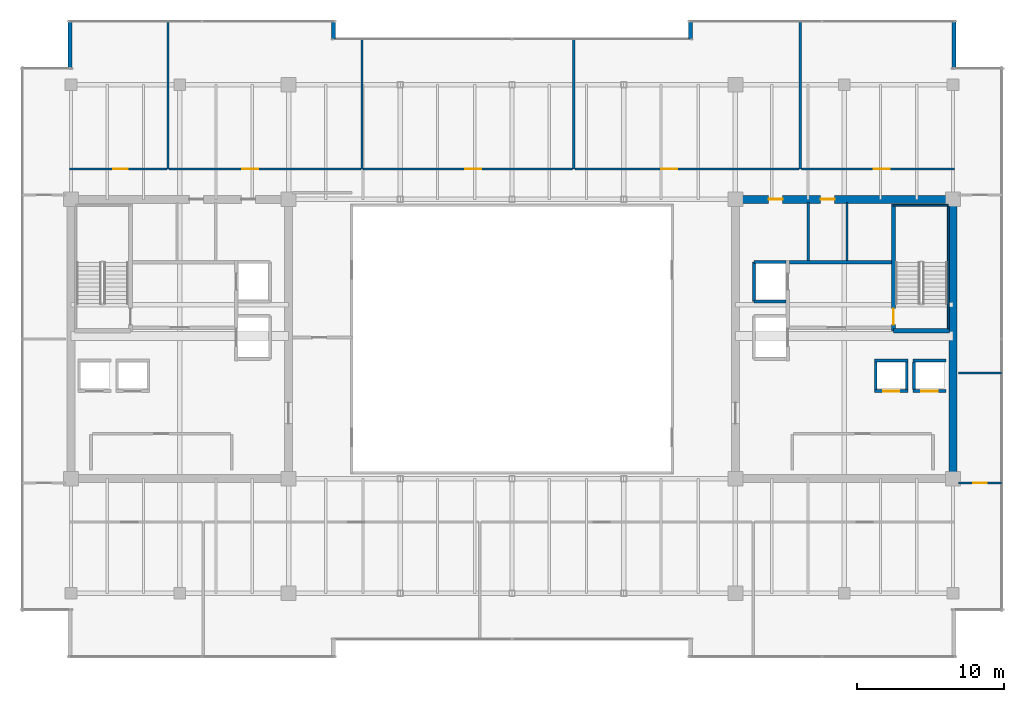
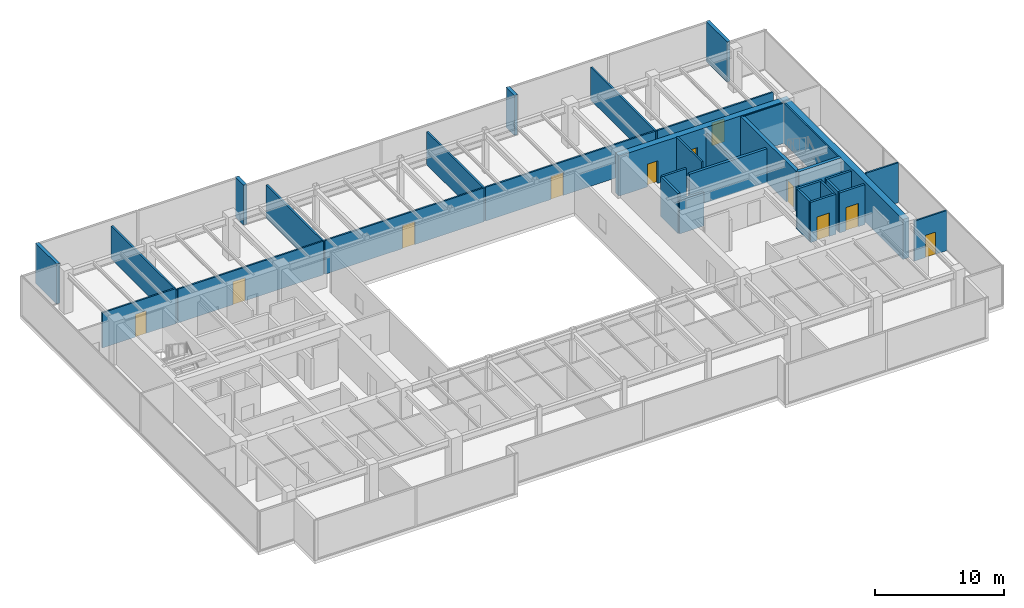
# One storey, part 30 of 33: 34 walls, 11 doors, 11 openings.
"""IFC4 building model written with IfcOpenShell, lengths in metres."""

from ifc_helpers import new_model, si_unit, direction, frame, frame_2d, origin, place, context, subcontext, project, spatial, rectangle, extrude, source, transform, mapped, material, layer, layer_set, type_object, type_shapes, element, fill, save


model = new_model("IFC4")

# Units and contexts
model_context = context("Model", 3, precision=1e-05, world=origin(), true_north=direction((0.0, 1.0)))
body_context = subcontext(model_context, "Body", "Model", "MODEL_VIEW")
ifc_project = project(units=[si_unit("LENGTHUNIT", "METRE"), si_unit("AREAUNIT", "SQUARE_METRE"), si_unit("VOLUMEUNIT", "CUBIC_METRE"), si_unit("PLANEANGLEUNIT", "RADIAN"), si_unit("MASSUNIT", "GRAM", prefix="KILO")], contexts=[model_context])

# Site, building, storey
site_placement = place(None, origin())
site = spatial("IfcSite", under=ifc_project, at=site_placement, CompositionType="ELEMENT")
building_placement = place(site_placement, origin())
building = spatial("IfcBuilding", under=site, at=building_placement, Name="Haelvirn Gate Laboratories", CompositionType="ELEMENT")
storey_placement = place(building_placement, frame((0.0, 0.0, 213.699951171875)))
storey = spatial("IfcBuildingStorey", under=building, at=storey_placement, Name="L51", CompositionType="ELEMENT", Elevation=213.699951171875)

# Walls
ifc_material_1 = material(Name="Thermally-broken bronze aluminium rainscreen & mineral wool", Category="aluminium")
ifc_layer_1 = layer(ifc_material_1, 0.280029296875, Name="EW-TERR-280")
ifc_layer_set_1 = layer_set([ifc_layer_1], Name="Thermally-broken bronze aluminium rainscreen & mineral wool")
wall_type_1 = type_object("IfcWallType", Name="EW-TERR-280", PredefinedType="STANDARD", material=ifc_layer_set_1)
wall_1_placement = place(storey_placement, frame((67.4599609375, 42.7119140625, 0.0), z_axis=(0.0, 0.0, 1.0), x_axis=(0.0, 1.0, 0.0)))
element("IfcWall", 1, at=wall_1_placement, inside=storey, type_object=wall_type_1, Name="L51 Atrium Recess Bronze Return Wall 09", PredefinedType="STANDARD", context=body_context, shape_type="SweptSolid", body=[
    extrude(rectangle(XDim=3.2880859375, YDim=0.280029296875, at=frame_2d((1.64404296875, 0.0))), origin(), (0.0, 0.0, 1.0), 3.800048828125),
])
for number, where, z_axis, x_axis, name in (
    (2, (49.5400390625, 46.0, 0.0), (0.0, 0.0, 1.0), (0.0, -1.0, 0.0), "L51 Atrium Recess Bronze Return Wall 11"),
    (3, (25.260009765625, 44.70703125, 0.0), (0.0, 0.0, 1.0), (0.0, 1.0, 0.0), "L51 Atrium Recess Bronze Return Wall 13"),
):
    element("IfcWall", number, at=place(storey_placement, frame(where, z_axis=z_axis, x_axis=x_axis)), inside=storey, type_object=wall_type_1, Name=name, PredefinedType="STANDARD", context=body_context, shape_type="SweptSolid", body=[
        extrude(rectangle(XDim=1.29296875, YDim=0.280029296875, at=frame_2d((0.646484375, 0.0))), origin(), (0.0, 0.0, 1.0), 3.800048828125),
    ])
wall_2_placement = place(storey_placement, frame((7.340087890625, 46.0, 0.0), z_axis=(0.0, 0.0, 1.0), x_axis=(0.0, -1.0, 0.0)))
element("IfcWall", 4, at=wall_2_placement, inside=storey, type_object=wall_type_1, Name="L51 Atrium Recess Bronze Return Wall 15", PredefinedType="STANDARD", context=body_context, shape_type="SweptSolid", body=[
    extrude(rectangle(XDim=3.2880859375, YDim=0.280029296875, at=frame_2d((1.64404296875, 0.0))), origin(), (0.0, 0.0, 1.0), 3.800048828125),
])
ifc_material_2 = material(Name="Double-layer acoustic gypsum laboratory partition", Category="gypsum")
ifc_layer_2 = layer(ifc_material_2, 0.159912109375, Name="IW-ACOUST-160")
ifc_layer_set_2 = layer_set([ifc_layer_2], Name="Double-layer acoustic gypsum laboratory partition")
wall_type_2 = type_object("IfcWallType", Name="IW-ACOUST-160", PredefinedType="PARTITIONING", material=ifc_layer_set_2)
wall_3_placement = place(storey_placement, frame((14.0, 35.860107421875, 0.0), z_axis=(0.0, 0.0, 1.0), x_axis=(0.0, 1.0, 0.0)))
element("IfcWall", 5, at=wall_3_placement, inside=storey, type_object=wall_type_2, Name="L51 Interior Wall IW-L51-NDIV-01", PredefinedType="PARTITIONING", context=body_context, shape_type="SweptSolid", body=[
    extrude(rectangle(XDim=10.02978515625, YDim=0.159912109375, at=frame_2d((5.014892578125, 0.0))), origin(), (0.0, 0.0, 1.0), 3.135009765625),
])
for number, where, z_axis, x_axis, name in (
    (6, (27.199951171875, 35.860107421875, 0.0), (0.0, 0.0, 1.0), (0.0, 1.0, 0.0), "L51 Interior Wall IW-L51-NDIV-02"),
    (7, (41.60009765625, 35.860107421875, 0.0), (0.0, 0.0, 1.0), (0.0, 1.0, 0.0), "L51 Interior Wall IW-L51-NDIV-03"),
):
    element("IfcWall", number, at=place(storey_placement, frame(where, z_axis=z_axis, x_axis=x_axis)), inside=storey, type_object=wall_type_2, Name=name, PredefinedType="PARTITIONING", context=body_context, shape_type="SweptSolid", body=[
        extrude(rectangle(XDim=8.829833984375, YDim=0.159912109375, at=frame_2d((4.4150390625, 0.0))), origin(), (0.0, 0.0, 1.0), 3.135009765625),
    ])
wall_4_placement = place(storey_placement, frame((57.0, 35.860107421875, 0.0), z_axis=(0.0, 0.0, 1.0), x_axis=(0.0, 1.0, 0.0)))
element("IfcWall", 8, at=wall_4_placement, inside=storey, type_object=wall_type_2, Name="L51 Interior Wall IW-L51-NDIV-04", PredefinedType="PARTITIONING", context=body_context, shape_type="SweptSolid", body=[
    extrude(rectangle(XDim=10.02978515625, YDim=0.159912109375, at=frame_2d((5.014892578125, 0.0))), origin(), (0.0, 0.0, 1.0), 3.135009765625),
])

# Wall, opening, door
ifc_material_3 = material(Name="Acoustic mineral-wool gypsum board partition", Category="gypsum")
ifc_layer_3 = layer(ifc_material_3, 0.139892578125, Name="IW-PART-140")
ifc_layer_set_3 = layer_set([ifc_layer_3], Name="Acoustic mineral-wool gypsum board partition")
wall_type_3 = type_object("IfcWallType", Name="IW-PART-140", PredefinedType="PARTITIONING", material=ifc_layer_set_3)
wall_5_placement = place(storey_placement, frame((7.31005859375, 35.860107421875, 0.0), z_axis=(0.0, 0.0, 1.0), x_axis=(1.0, 0.0, 0.0)))
wall_5 = element("IfcWall", 9, at=wall_5_placement, inside=storey, type_object=wall_type_3, Name="L51 Interior Wall IW-L51-NCORR-01", PredefinedType="PARTITIONING", context=body_context, shape_type="SweptSolid", body=[
    extrude(rectangle(XDim=6.60986328125, YDim=0.139892578125, at=frame_2d((3.304931640625, 0.0))), origin(), (0.0, 0.0, 1.0), 3.3349609375),
])
opening_1_placement = place(wall_5_placement, frame((2.952392578125, 0.0, 0.0)))
opening_1 = element("IfcOpeningElement", 10, at=opening_1_placement, cuts=wall_5, Name="Opening D2", PredefinedType="OPENING", context=body_context, shape_type="SweptSolid", body=[
    extrude(rectangle(XDim=1.0, YDim=2.14990234375, at=frame_2d((0.5, 1.074951171875))), frame((0.0, 0.080078125, 0.0), z_axis=(0.0, -1.0, 0.0), x_axis=(1.0, 0.0, 0.0)), (0.0, 0.0, 1.0), 0.159912109375),
])
ifc_material_4 = material(Name="Acoustic solid-core timber suite door", Category="wood")
door_type_1 = type_object("IfcDoorType", Name="DR-INT-1000", OperationType="NOTDEFINED", PredefinedType="DOOR", material=ifc_material_4)
shared_shape_1 = source(origin(), body_context, "Body", "SweptSolid", [
    extrude(rectangle(XDim=1.0, YDim=2.14990234375, at=frame_2d((0.5, 1.074951171875))), frame((0.0, 0.02490234375, 0.0), z_axis=(0.0, -1.0, 0.0), x_axis=(1.0, 0.0, 0.0)), (0.0, 0.0, 1.0), 0.050048828125),
])
type_shapes(door_type_1, [shared_shape_1])
door_1_placement = place(opening_1_placement, origin())
door_1 = element("IfcDoor", 11, at=door_1_placement, inside=storey, type_object=door_type_1, Name="L51 Analytical Instrument Suite Door N1", OperationType="SINGLE_SWING_LEFT", OverallHeight=2.14990234375, OverallWidth=1.0, PredefinedType="DOOR", context=body_context, shape_type="MappedRepresentation", body=[
    mapped(shared_shape_1, transform((0.0, 0.0, 0.0), scale=1.0)),
])
fill(opening_1, door_1)

wall_6_placement = place(storey_placement, frame((14.080078125, 35.860107421875, 0.0), z_axis=(0.0, 0.0, 1.0), x_axis=(1.0, 0.0, 0.0)))
wall_6 = element("IfcWall", 12, at=wall_6_placement, inside=storey, type_object=wall_type_3, Name="L51 Interior Wall IW-L51-NCORR-02", PredefinedType="PARTITIONING", context=body_context, shape_type="SweptSolid", body=[
    extrude(rectangle(XDim=13.0400390625, YDim=0.139892578125, at=frame_2d((6.52001953125, 0.0))), origin(), (0.0, 0.0, 1.0), 3.197021484375),
])
opening_2_placement = place(wall_6_placement, frame((4.95849609375, 0.0, 0.0)))
opening_2 = element("IfcOpeningElement", 13, at=opening_2_placement, cuts=wall_6, Name="Opening D1", PredefinedType="OPENING", context=body_context, shape_type="SweptSolid", body=[
    extrude(rectangle(XDim=1.10009765625, YDim=2.179931640625, at=frame_2d((0.550048828125, 1.08984375))), frame((0.0, 0.080078125, 0.0), z_axis=(0.0, -1.0, 0.0), x_axis=(1.0, 0.0, 0.0)), (0.0, 0.0, 1.0), 0.159912109375),
])
ifc_material_5 = material(Name="Vision-panel acoustic solid-core timber lab door", Category="wood")
door_type_2 = type_object("IfcDoorType", Name="DR-LAB-1100", OperationType="NOTDEFINED", PredefinedType="DOOR", material=ifc_material_5)
shared_shape_2 = source(origin(), body_context, "Body", "SweptSolid", [
    extrude(rectangle(XDim=1.10009765625, YDim=2.179931640625, at=frame_2d((0.550048828125, 1.08984375))), frame((0.0, 0.02490234375, 0.0), z_axis=(0.0, -1.0, 0.0), x_axis=(1.0, 0.0, 0.0)), (0.0, 0.0, 1.0), 0.050048828125),
])
type_shapes(door_type_2, [shared_shape_2])
door_2_placement = place(opening_2_placement, origin())
door_2 = element("IfcDoor", 14, at=door_2_placement, inside=storey, type_object=door_type_2, Name="L51 Cleanroom Metrology Suite Door N2", OperationType="SINGLE_SWING_RIGHT", OverallHeight=2.179931640625, OverallWidth=1.10009765625, PredefinedType="DOOR", context=body_context, shape_type="MappedRepresentation", body=[
    mapped(shared_shape_2, transform((0.0, 0.0, 0.0), scale=1.0)),
])
fill(opening_2, door_2)

wall_7_placement = place(storey_placement, frame((27.280029296875, 35.860107421875, 0.0), z_axis=(0.0, 0.0, 1.0), x_axis=(1.0, 0.0, 0.0)))
wall_7 = element("IfcWall", 15, at=wall_7_placement, inside=storey, type_object=wall_type_3, Name="L51 Interior Wall IW-L51-NCORR-03", PredefinedType="PARTITIONING", context=body_context, shape_type="SweptSolid", body=[
    extrude(rectangle(XDim=14.239990234375, YDim=0.139892578125, at=frame_2d((7.1201171875, 0.0))), origin(), (0.0, 0.0, 1.0), 3.197021484375),
])
opening_3_placement = place(wall_7_placement, frame((6.943115234375, 0.0, 0.0)))
opening_3 = element("IfcOpeningElement", 16, at=opening_3_placement, cuts=wall_7, Name="Opening D1", PredefinedType="OPENING", context=body_context, shape_type="SweptSolid", body=[
    extrude(rectangle(XDim=1.10009765625, YDim=2.179931640625, at=frame_2d((0.550048828125, 1.08984375))), frame((0.0, 0.080078125, 0.0), z_axis=(0.0, -1.0, 0.0), x_axis=(1.0, 0.0, 0.0)), (0.0, 0.0, 1.0), 0.159912109375),
])
door_3_placement = place(opening_3_placement, origin())
door_3 = element("IfcDoor", 17, at=door_3_placement, inside=storey, type_object=door_type_2, Name="L51 Cryo-EM Imaging Suite Door N3", OperationType="SINGLE_SWING_LEFT", OverallHeight=2.179931640625, OverallWidth=1.10009765625, PredefinedType="DOOR", context=body_context, shape_type="MappedRepresentation", body=[
    mapped(shared_shape_2, transform((0.0, 0.0, 0.0), scale=1.0)),
])
fill(opening_3, door_3)

wall_8_placement = place(storey_placement, frame((41.679931640625, 35.860107421875, 0.0), z_axis=(0.0, 0.0, 1.0), x_axis=(1.0, 0.0, 0.0)))
wall_8 = element("IfcWall", 18, at=wall_8_placement, inside=storey, type_object=wall_type_3, Name="L51 Interior Wall IW-L51-NCORR-04", PredefinedType="PARTITIONING", context=body_context, shape_type="SweptSolid", body=[
    extrude(rectangle(XDim=15.239990234375, YDim=0.139892578125, at=frame_2d((7.6201171875, 0.0))), origin(), (0.0, 0.0, 1.0), 3.197021484375),
])
opening_4_placement = place(wall_8_placement, frame((5.8603515625, 0.0, 0.0)))
opening_4 = element("IfcOpeningElement", 19, at=opening_4_placement, cuts=wall_8, Name="Opening D1", PredefinedType="OPENING", context=body_context, shape_type="SweptSolid", body=[
    extrude(rectangle(XDim=1.10009765625, YDim=2.179931640625, at=frame_2d((0.550048828125, 1.08984375))), frame((0.0, 0.080078125, 0.0), z_axis=(0.0, -1.0, 0.0), x_axis=(1.0, 0.0, 0.0)), (0.0, 0.0, 1.0), 0.159912109375),
])
door_4_placement = place(opening_4_placement, origin())
door_4 = element("IfcDoor", 20, at=door_4_placement, inside=storey, type_object=door_type_2, Name="L51 Analytical Instrument Suite Door N4", OperationType="SINGLE_SWING_RIGHT", OverallHeight=2.179931640625, OverallWidth=1.10009765625, PredefinedType="DOOR", context=body_context, shape_type="MappedRepresentation", body=[
    mapped(shared_shape_2, transform((0.0, 0.0, 0.0), scale=1.0)),
])
fill(opening_4, door_4)

wall_9_placement = place(storey_placement, frame((57.080078125, 35.860107421875, 0.0), z_axis=(0.0, 0.0, 1.0), x_axis=(1.0, 0.0, 0.0)))
wall_9 = element("IfcWall", 21, at=wall_9_placement, inside=storey, type_object=wall_type_3, Name="L51 Interior Wall IW-L51-NCORR-05", PredefinedType="PARTITIONING", context=body_context, shape_type="SweptSolid", body=[
    extrude(rectangle(XDim=10.409912109375, YDim=0.139892578125, at=frame_2d((5.205078125, 0.0))), origin(), (0.0, 0.0, 1.0), 3.197021484375),
])
opening_5_placement = place(wall_9_placement, frame((4.913330078125, 0.0, 0.0)))
opening_5 = element("IfcOpeningElement", 22, at=opening_5_placement, cuts=wall_9, Name="Opening D1", PredefinedType="OPENING", context=body_context, shape_type="SweptSolid", body=[
    extrude(rectangle(XDim=1.10009765625, YDim=2.179931640625, at=frame_2d((0.550048828125, 1.08984375))), frame((0.0, 0.080078125, 0.0), z_axis=(0.0, -1.0, 0.0), x_axis=(1.0, 0.0, 0.0)), (0.0, 0.0, 1.0), 0.159912109375),
])
door_5_placement = place(opening_5_placement, origin())
door_5 = element("IfcDoor", 23, at=door_5_placement, inside=storey, type_object=door_type_2, Name="L51 Occupational Biosafety Clinic Door N5", OperationType="SINGLE_SWING_LEFT", OverallHeight=2.179931640625, OverallWidth=1.10009765625, PredefinedType="DOOR", context=body_context, shape_type="MappedRepresentation", body=[
    mapped(shared_shape_2, transform((0.0, 0.0, 0.0), scale=1.0)),
])
fill(opening_5, door_5)

# Wall
wall_10_placement = place(storey_placement, frame((67.780029296875, 22.0, 0.0), z_axis=(0.0, 0.0, 1.0), x_axis=(1.0, 0.0, 0.0)))
element("IfcWall", 24, at=wall_10_placement, inside=storey, type_object=wall_type_3, Name="L51 Interior Wall IW-L51-EZ3-MID", PredefinedType="PARTITIONING", context=body_context, shape_type="SweptSolid", body=[
    extrude(rectangle(XDim=2.909912109375, YDim=0.139892578125, at=frame_2d((1.455078125, 0.0))), origin(), (0.0, 0.0, 1.0), 3.800048828125),
])

# Wall, opening, door
wall_11_placement = place(storey_placement, frame((67.780029296875, 14.5048828125, 0.0), z_axis=(0.0, 0.0, 1.0), x_axis=(1.0, 0.0, 0.0)))
wall_11 = element("IfcWall", 25, at=wall_11_placement, inside=storey, type_object=wall_type_3, Name="L51 Interior Wall IW-L51-EZ3-ENT-S", PredefinedType="PARTITIONING", context=body_context, shape_type="SweptSolid", body=[
    extrude(rectangle(XDim=2.909912109375, YDim=0.139892578125, at=frame_2d((1.455078125, 0.0))), origin(), (0.0, 0.0, 1.0), 3.800048828125),
])
opening_6_placement = place(wall_11_placement, frame((1.0048828125, 0.0, 0.0)))
opening_6 = element("IfcOpeningElement", 26, at=opening_6_placement, cuts=wall_11, Name="Opening D4", PredefinedType="OPENING", context=body_context, shape_type="SweptSolid", body=[
    extrude(rectangle(XDim=0.89990234375, YDim=2.10009765625, at=frame_2d((0.449951171875, 1.050048828125))), frame((0.0, 0.080078125, 0.0), z_axis=(0.0, -1.0, 0.0), x_axis=(1.0, 0.0, 0.0)), (0.0, 0.0, 1.0), 0.159912109375),
])
ifc_material_6 = material(Name="Glazed aluminium-framed write-up door", Category="aluminium")
door_type_3 = type_object("IfcDoorType", Name="DR-OFF-900", OperationType="NOTDEFINED", PredefinedType="DOOR", material=ifc_material_6)
shared_shape_3 = source(origin(), body_context, "Body", "SweptSolid", [
    extrude(rectangle(XDim=0.89990234375, YDim=2.10009765625, at=frame_2d((0.449951171875, 1.050048828125))), frame((0.0, 0.02490234375, 0.0), z_axis=(0.0, -1.0, 0.0), x_axis=(1.0, 0.0, 0.0)), (0.0, 0.0, 1.0), 0.050048828125),
])
type_shapes(door_type_3, [shared_shape_3])
door_6_placement = place(opening_6_placement, origin())
door_6 = element("IfcDoor", 27, at=door_6_placement, inside=storey, type_object=door_type_3, Name="L51 Researcher Break Pantry Door E-S", OperationType="SINGLE_SWING_LEFT", OverallHeight=2.10009765625, OverallWidth=0.89990234375, PredefinedType="DOOR", context=body_context, shape_type="MappedRepresentation", body=[
    mapped(shared_shape_3, transform((0.0, 0.0, 0.0), scale=1.0)),
])
fill(opening_6, door_6)

# Walls
ifc_material_7 = material(Name="Cement-board restroom plumbing chase wall", Category="gypsum")
ifc_layer_4 = layer(ifc_material_7, 0.155029296875, Name="IW-PLUMB-160")
ifc_layer_set_4 = layer_set([ifc_layer_4], Name="Cement-board restroom plumbing chase wall")
wall_type_4 = type_object("IfcWallType", Name="IW-PLUMB-160", PredefinedType="PLUMBINGWALL", material=ifc_layer_set_4)
wall_12_placement = place(storey_placement, frame((60.18994140625, 29.64990234375, 0.0), z_axis=(0.0, 0.0, 1.0), x_axis=(0.0, 1.0, 0.0)))
element("IfcWall", 28, at=wall_12_placement, inside=storey, type_object=wall_type_4, Name="L51 Interior Wall IW-L51-E-CDIV-0", PredefinedType="PLUMBINGWALL", context=body_context, shape_type="SweptSolid", body=[
    extrude(rectangle(XDim=3.93017578125, YDim=0.155029296875, at=frame_2d((1.965087890625, 0.0))), origin(), (0.0, 0.0, 1.0), 3.197021484375),
])
wall_13_placement = place(storey_placement, frame((57.56005859375, 29.64990234375, 0.0), z_axis=(0.0, 0.0, 1.0), x_axis=(0.0, 1.0, 0.0)))
element("IfcWall", 29, at=wall_13_placement, inside=storey, type_object=wall_type_4, Name="L51 Interior Wall IW-L51-E-CDIV-1", PredefinedType="PLUMBINGWALL", context=body_context, shape_type="SweptSolid", body=[
    extrude(rectangle(XDim=3.93017578125, YDim=0.155029296875, at=frame_2d((1.965087890625, 0.0))), origin(), (0.0, 0.0, 1.0), 3.800048828125),
])
ifc_material_8 = material(Name="Concrete C40/50", Category="concrete")
ifc_layer_5 = layer(ifc_material_8, 0.179931640625, Name="IW-SHAFT-180")
ifc_layer_set_5 = layer_set([ifc_layer_5], Name="Concrete C40/50")
wall_type_5 = type_object("IfcWallType", Name="IW-SHAFT-180", PredefinedType="SOLIDWALL", material=ifc_layer_set_5)
for number, where, z_axis, x_axis, name in (
    (30, (64.75, 20.85009765625, 0.0), (0.0, 0.0, 1.0), (0.0, 1.0, 0.0), "L51 Interior Wall IW-L51-PL11-SD"),
    (31, (62.14990234375, 20.85009765625, 0.0), (0.0, 0.0, 1.0), (0.0, 1.0, 0.0), "L51 Interior Wall IW-L51-PL12-SD"),
    (32, (64.25, 20.85009765625, 0.0), (0.0, 0.0, 1.0), (0.0, 1.0, 0.0), "L51 Interior Wall IW-L51-PL12-SDE"),
):
    element("IfcWall", number, at=place(storey_placement, frame(where, z_axis=z_axis, x_axis=x_axis)), inside=storey, type_object=wall_type_5, Name=name, PredefinedType="SOLIDWALL", context=body_context, shape_type="SweptSolid", body=[
        extrude(rectangle(XDim=1.89990234375, YDim=0.179931640625, at=frame_2d((0.949951171875, 0.0))), origin(), (0.0, 0.0, 1.0), 3.800048828125),
    ])

# Wall, opening, door
ifc_layer_6 = layer(ifc_material_8, 0.199951171875, Name="IW-SHAFT-200")
ifc_layer_set_6 = layer_set([ifc_layer_6], Name="Concrete C40/50")
wall_type_6 = type_object("IfcWallType", Name="IW-SHAFT-200", PredefinedType="SOLIDWALL", material=ifc_layer_set_6)
wall_14_placement = place(storey_placement, frame((64.669921875, 20.75, 0.0), z_axis=(0.0, 0.0, 1.0), x_axis=(1.0, 0.0, 0.0)))
wall_14 = element("IfcWall", 33, at=wall_14_placement, inside=storey, type_object=wall_type_6, Name="L51 Interior Wall IW-L51-PL11-FR", PredefinedType="SOLIDWALL", context=body_context, shape_type="SweptSolid", body=[
    extrude(rectangle(XDim=2.260009765625, YDim=0.199951171875, at=frame_2d((1.1298828125, 0.0))), origin(), (0.0, 0.0, 1.0), 3.800048828125),
])
opening_7_placement = place(wall_14_placement, frame((0.580078125, 0.0, 0.0)))
opening_7 = element("IfcOpeningElement", 34, at=opening_7_placement, cuts=wall_14, Name="Opening LD2", PredefinedType="OPENING", context=body_context, shape_type="SweptSolid", body=[
    extrude(rectangle(XDim=1.10009765625, YDim=2.219970703125, at=frame_2d((0.550048828125, 1.10986328125))), frame((0.0, 0.10986328125, 0.0), z_axis=(0.0, -1.0, 0.0), x_axis=(1.0, 0.0, 0.0)), (0.0, 0.0, 1.0), 0.219970703125),
])
ifc_material_9 = material(Name="Bronze stainless 316L sliding lift landing door")
door_type_4 = type_object("IfcDoorType", Name="DR-LD-1100", OperationType="NOTDEFINED", PredefinedType="USERDEFINED", material=ifc_material_9)
shared_shape_4 = source(origin(), body_context, "Body", "SweptSolid", [
    extrude(rectangle(XDim=1.10009765625, YDim=2.219970703125, at=frame_2d((0.550048828125, 1.10986328125))), frame((0.0, 0.02490234375, 0.0), z_axis=(0.0, -1.0, 0.0), x_axis=(1.0, 0.0, 0.0)), (0.0, 0.0, 1.0), 0.050048828125),
])
type_shapes(door_type_4, [shared_shape_4])
door_7_placement = place(opening_7_placement, origin())
door_7 = element("IfcDoor", 35, at=door_7_placement, inside=storey, type_object=door_type_4, Name="L51 Passenger Lift PL11 Landing Door", ObjectType="LANDING_DOOR", OperationType="SLIDING_TO_LEFT", OverallHeight=2.219970703125, OverallWidth=1.10009765625, PredefinedType="USERDEFINED", context=body_context, shape_type="MappedRepresentation", body=[
    mapped(shared_shape_4, transform((0.0, 0.0, 0.0), scale=1.0)),
])
fill(opening_7, door_7)

# Wall
wall_15_placement = place(storey_placement, frame((64.669921875, 22.85009765625, 0.0), z_axis=(0.0, 0.0, 1.0), x_axis=(1.0, 0.0, 0.0)))
element("IfcWall", 36, at=wall_15_placement, inside=storey, type_object=wall_type_6, Name="L51 Interior Wall IW-L51-PL11-BK", PredefinedType="SOLIDWALL", context=body_context, shape_type="SweptSolid", body=[
    extrude(rectangle(XDim=2.260009765625, YDim=0.199951171875, at=frame_2d((1.1298828125, 0.0))), origin(), (0.0, 0.0, 1.0), 3.800048828125),
])

# Wall, opening, door
wall_16_placement = place(storey_placement, frame((62.070068359375, 20.75, 0.0), z_axis=(0.0, 0.0, 1.0), x_axis=(1.0, 0.0, 0.0)))
wall_16 = element("IfcWall", 37, at=wall_16_placement, inside=storey, type_object=wall_type_6, Name="L51 Interior Wall IW-L51-PL12-FR", PredefinedType="SOLIDWALL", context=body_context, shape_type="SweptSolid", body=[
    extrude(rectangle(XDim=2.260009765625, YDim=0.199951171875, at=frame_2d((1.1298828125, 0.0))), origin(), (0.0, 0.0, 1.0), 3.800048828125),
])
opening_8_placement = place(wall_16_placement, frame((0.580078125, 0.0, 0.0)))
opening_8 = element("IfcOpeningElement", 38, at=opening_8_placement, cuts=wall_16, Name="Opening LD2", PredefinedType="OPENING", context=body_context, shape_type="SweptSolid", body=[
    extrude(rectangle(XDim=1.10009765625, YDim=2.219970703125, at=frame_2d((0.550048828125, 1.10986328125))), frame((0.0, 0.10986328125, 0.0), z_axis=(0.0, -1.0, 0.0), x_axis=(1.0, 0.0, 0.0)), (0.0, 0.0, 1.0), 0.219970703125),
])
door_8_placement = place(opening_8_placement, origin())
door_8 = element("IfcDoor", 39, at=door_8_placement, inside=storey, type_object=door_type_4, Name="L51 Passenger Lift PL12 Landing Door", ObjectType="LANDING_DOOR", OperationType="SLIDING_TO_RIGHT", OverallHeight=2.219970703125, OverallWidth=1.10009765625, PredefinedType="USERDEFINED", context=body_context, shape_type="MappedRepresentation", body=[
    mapped(shared_shape_4, transform((0.0, 0.0, 0.0), scale=1.0)),
])
fill(opening_8, door_8)

# Walls
wall_17_placement = place(storey_placement, frame((62.070068359375, 22.85009765625, 0.0), z_axis=(0.0, 0.0, 1.0), x_axis=(1.0, 0.0, 0.0)))
element("IfcWall", 40, at=wall_17_placement, inside=storey, type_object=wall_type_6, Name="L51 Interior Wall IW-L51-PL12-BK", PredefinedType="SOLIDWALL", context=body_context, shape_type="SweptSolid", body=[
    extrude(rectangle(XDim=2.260009765625, YDim=0.199951171875, at=frame_2d((1.1298828125, 0.0))), origin(), (0.0, 0.0, 1.0), 3.800048828125),
])
wall_18_placement = place(storey_placement, frame((53.85009765625, 26.85009765625, 0.0), z_axis=(0.0, 0.0, 1.0), x_axis=(0.0, 1.0, 0.0)))
element("IfcWall", 41, at=wall_18_placement, inside=storey, type_object=wall_type_6, Name="L51 Interior Wall IW-L51-FL2-BK", PredefinedType="SOLIDWALL", context=body_context, shape_type="SweptSolid", body=[
    extrude(rectangle(XDim=2.699951171875, YDim=0.199951171875, at=frame_2d((1.35009765625, 0.0))), origin(), (0.0, 0.0, 1.0), 3.800048828125),
])
wall_19_placement = place(storey_placement, frame((53.85009765625, 29.550048828125, 0.0), z_axis=(0.0, 0.0, 1.0), x_axis=(1.0, 0.0, 0.0)))
element("IfcWall", 42, at=wall_19_placement, inside=storey, type_object=wall_type_6, Name="L51 Interior Wall IW-L51-FL2-N", PredefinedType="SOLIDWALL", context=body_context, shape_type="SweptSolid", body=[
    extrude(rectangle(XDim=2.18994140625, YDim=0.199951171875, at=frame_2d((1.094970703125, 0.0))), origin(), (0.0, 0.0, 1.0), 3.800048828125),
])
wall_20_placement = place(storey_placement, frame((53.85009765625, 26.85009765625, 0.0), z_axis=(0.0, 0.0, 1.0), x_axis=(1.0, 0.0, 0.0)))
element("IfcWall", 43, at=wall_20_placement, inside=storey, type_object=wall_type_6, Name="L51 Interior Wall IW-L51-FL2-S", PredefinedType="SOLIDWALL", context=body_context, shape_type="SweptSolid", body=[
    extrude(rectangle(XDim=2.18994140625, YDim=0.199951171875, at=frame_2d((1.094970703125, 0.0))), origin(), (0.0, 0.0, 1.0), 3.197021484375),
])
ifc_layer_7 = layer(ifc_material_8, 0.239990234375, Name="IW-SHAFT-240")
ifc_layer_set_7 = layer_set([ifc_layer_7], Name="Concrete C40/50")
wall_type_7 = type_object("IfcWallType", Name="IW-SHAFT-240", PredefinedType="SOLIDWALL", material=ifc_layer_set_7)
wall_21_placement = place(storey_placement, frame((56.280029296875, 29.52001953125, 0.0), z_axis=(0.0, 0.0, 1.0), x_axis=(1.0, 0.0, 0.0)))
element("IfcWall", 44, at=wall_21_placement, inside=storey, type_object=wall_type_7, Name="L51 Interior Wall IW-L51-E-FF-N", PredefinedType="SOLIDWALL", context=body_context, shape_type="SweptSolid", body=[
    extrude(rectangle(XDim=6.919921875, YDim=0.239990234375, at=frame_2d((3.4599609375, 0.0))), origin(), (0.0, 0.0, 1.0), 3.197021484375),
])

# Wall, openings, doors
ifc_material_10 = material(Name="Concrete C50/60", Category="concrete")
ifc_layer_8 = layer(ifc_material_10, 0.550048828125, Name="SW-CORE-550")
ifc_layer_set_8 = layer_set([ifc_layer_8], Name="Concrete C50/60")
wall_type_8 = type_object("IfcWallType", Name="SW-CORE-550", PredefinedType="SHEAR", material=ifc_layer_set_8)
wall_22_placement = place(storey_placement, frame((52.324951171875, 33.800048828125, 0.0), z_axis=(0.0, 0.0, 1.0), x_axis=(1.0, 0.0, 0.0)))
wall_22 = element("IfcWall", 45, at=wall_22_placement, inside=storey, type_object=wall_type_8, Name="L51 E Core Shear Wall N", PredefinedType="SHEAR", context=body_context, shape_type="SweptSolid", body=[
    extrude(rectangle(XDim=15.35009765625, YDim=0.550048828125, at=frame_2d((7.675048828125, 0.0))), origin(), (0.0, 0.0, 1.0), 3.800048828125),
])
opening_9_placement = place(wall_22_placement, frame((6.074951171875, 0.0, 0.0)))
opening_9 = element("IfcOpeningElement", 46, at=opening_9_placement, cuts=wall_22, Name="Opening FD4", PredefinedType="OPENING", context=body_context, shape_type="SweptSolid", body=[
    extrude(rectangle(XDim=0.949951171875, YDim=2.14990234375, at=frame_2d((0.47509765625, 1.074951171875))), frame((0.0, 0.28515625, 0.0), z_axis=(0.0, -1.0, 0.0), x_axis=(1.0, 0.0, 0.0)), (0.0, 0.0, 1.0), 0.570068359375),
])
opening_10_placement = place(wall_22_placement, frame((2.534912109375, 0.0, 0.0)))
opening_10 = element("IfcOpeningElement", 47, at=opening_10_placement, cuts=wall_22, Name="Opening FD4", PredefinedType="OPENING", context=body_context, shape_type="SweptSolid", body=[
    extrude(rectangle(XDim=0.949951171875, YDim=2.14990234375, at=frame_2d((0.47509765625, 1.074951171875))), frame((0.0, 0.28515625, 0.0), z_axis=(0.0, -1.0, 0.0), x_axis=(1.0, 0.0, 0.0)), (0.0, 0.0, 1.0), 0.570068359375),
])
ifc_material_11 = material(Name="Fire-rated steel SM355 core service door", Category="steel")
door_type_5 = type_object("IfcDoorType", Name="DR-FD-950", OperationType="NOTDEFINED", PredefinedType="DOOR", material=ifc_material_11)
shared_shape_5 = source(origin(), body_context, "Body", "SweptSolid", [
    extrude(rectangle(XDim=0.949951171875, YDim=2.14990234375, at=frame_2d((0.47509765625, 1.074951171875))), frame((0.0, 0.02490234375, 0.0), z_axis=(0.0, -1.0, 0.0), x_axis=(1.0, 0.0, 0.0)), (0.0, 0.0, 1.0), 0.050048828125),
])
type_shapes(door_type_5, [shared_shape_5])
door_9_placement = place(opening_9_placement, origin())
door_9 = element("IfcDoor", 48, at=door_9_placement, inside=storey, type_object=door_type_5, Name="L51 Accessible Restroom Fire Door", OperationType="SINGLE_SWING_RIGHT", OverallHeight=2.14990234375, OverallWidth=0.949951171875, PredefinedType="DOOR", context=body_context, shape_type="MappedRepresentation", body=[
    mapped(shared_shape_5, transform((0.0, 0.0, 0.0), scale=1.0)),
])
fill(opening_9, door_9)
door_10_placement = place(opening_10_placement, origin())
door_10 = element("IfcDoor", 49, at=door_10_placement, inside=storey, type_object=door_type_5, Name="L51 Staff Restroom Fire Door", OperationType="SINGLE_SWING_LEFT", OverallHeight=2.14990234375, OverallWidth=0.949951171875, PredefinedType="DOOR", context=body_context, shape_type="MappedRepresentation", body=[
    mapped(shared_shape_5, transform((0.0, 0.0, 0.0), scale=1.0)),
])
fill(opening_10, door_10)

# Walls
wall_23_placement = place(storey_placement, frame((67.39990234375, 15.074951171875, 0.0), z_axis=(0.0, 0.0, 1.0), x_axis=(0.0, 1.0, 0.0)))
element("IfcWall", 50, at=wall_23_placement, inside=storey, type_object=wall_type_8, Name="L51 E Core Shear Wall E", PredefinedType="SHEAR", context=body_context, shape_type="SweptSolid", body=[
    extrude(rectangle(XDim=18.449951171875, YDim=0.550048828125, at=frame_2d((9.22509765625, 0.0))), origin(), (0.0, 0.0, 1.0), 3.800048828125),
])
ifc_layer_9 = layer(ifc_material_10, 0.1201171875, Name="SW-LINER-120")
ifc_layer_set_9 = layer_set([ifc_layer_9], Name="Concrete C50/60")
wall_type_9 = type_object("IfcWallType", Name="SW-LINER-120", PredefinedType="SOLIDWALL", material=ifc_layer_set_9)
wall_24_placement = place(storey_placement, frame((63.35009765625, 33.39990234375, 0.0), z_axis=(0.0, 0.0, 1.0), x_axis=(1.0, 0.0, 0.0)))
element("IfcWall", 51, at=wall_24_placement, inside=storey, type_object=wall_type_9, Name="L51 E Core Stair Shaft Liner Wall N", PredefinedType="SOLIDWALL", context=body_context, shape_type="SweptSolid", body=[
    extrude(rectangle(XDim=3.719970703125, YDim=0.1201171875, at=frame_2d((1.85986328125, 0.0))), origin(), (0.0, 0.0, 1.0), 3.800048828125),
])
wall_25_placement = place(storey_placement, frame((67.070068359375, 25.0, 0.0), z_axis=(0.0, 0.0, 1.0), x_axis=(0.0, 1.0, 0.0)))
element("IfcWall", 52, at=wall_25_placement, inside=storey, type_object=wall_type_9, Name="L51 E Core Stair Shaft Liner Wall OUT", PredefinedType="SOLIDWALL", context=body_context, shape_type="SweptSolid", body=[
    extrude(rectangle(XDim=8.320068359375, YDim=0.1201171875, at=frame_2d((4.16015625, 0.0))), origin(), (0.0, 0.0, 1.0), 3.800048828125),
])

# Wall, opening, door
ifc_layer_10 = layer(ifc_material_10, 0.300048828125, Name="SW-STAIR-300")
ifc_layer_set_10 = layer_set([ifc_layer_10], Name="Concrete C50/60")
wall_type_10 = type_object("IfcWallType", Name="SW-STAIR-300", PredefinedType="SHEAR", material=ifc_layer_set_10)
wall_26_placement = place(storey_placement, frame((63.35009765625, 24.85009765625, 0.0), z_axis=(0.0, 0.0, 1.0), x_axis=(0.0, 1.0, 0.0)))
wall_26 = element("IfcWall", 53, at=wall_26_placement, inside=storey, type_object=wall_type_10, Name="L51 E Core Stair Shaft Structural Wall IN", PredefinedType="SHEAR", context=body_context, shape_type="SweptSolid", body=[
    extrude(rectangle(XDim=8.6298828125, YDim=0.300048828125, at=frame_2d((4.31494140625, 0.0))), origin(), (0.0, 0.0, 1.0), 3.800048828125),
])
opening_11_placement = place(wall_26_placement, frame((0.419921875, 0.0, 0.0)))
opening_11 = element("IfcOpeningElement", 54, at=opening_11_placement, cuts=wall_26, Name="Opening FD3", PredefinedType="OPENING", context=body_context, shape_type="SweptSolid", body=[
    extrude(rectangle(XDim=1.10009765625, YDim=2.14990234375, at=frame_2d((0.550048828125, 1.074951171875))), frame((0.0, 0.16015625, 0.0), z_axis=(0.0, -1.0, 0.0), x_axis=(1.0, 0.0, 0.0)), (0.0, 0.0, 1.0), 0.320068359375),
])
ifc_material_12 = material(Name="Fire-rated steel SM355 escape stair door", Category="steel")
door_type_6 = type_object("IfcDoorType", Name="DR-FD-1100", OperationType="NOTDEFINED", PredefinedType="DOOR", material=ifc_material_12)
shared_shape_6 = source(origin(), body_context, "Body", "SweptSolid", [
    extrude(rectangle(XDim=1.10009765625, YDim=2.14990234375, at=frame_2d((0.550048828125, 1.074951171875))), frame((0.0, 0.02490234375, 0.0), z_axis=(0.0, -1.0, 0.0), x_axis=(1.0, 0.0, 0.0)), (0.0, 0.0, 1.0), 0.050048828125),
])
type_shapes(door_type_6, [shared_shape_6])
door_11_placement = place(opening_11_placement, origin())
door_11 = element("IfcDoor", 55, at=door_11_placement, inside=storey, type_object=door_type_6, Name="L51 Escape Stair ST2 Fire Door", OperationType="SINGLE_SWING_RIGHT", OverallHeight=2.14990234375, OverallWidth=1.10009765625, PredefinedType="DOOR", context=body_context, shape_type="MappedRepresentation", body=[
    mapped(shared_shape_6, transform((0.0, 0.0, 0.0), scale=1.0)),
])
fill(opening_11, door_11)

# Wall
wall_27_placement = place(storey_placement, frame((63.35009765625, 24.85009765625, 0.0), z_axis=(0.0, 0.0, 1.0), x_axis=(1.0, 0.0, 0.0)))
element("IfcWall", 56, at=wall_27_placement, inside=storey, type_object=wall_type_10, Name="L51 E Core Stair Shaft Structural Wall S", PredefinedType="SHEAR", context=body_context, shape_type="SweptSolid", body=[
    extrude(rectangle(XDim=3.7998046875, YDim=0.300048828125, at=frame_2d((1.89990234375, 0.0))), origin(), (0.0, 0.0, 1.0), 3.800048828125),
])

save(model, "model.ifc")
